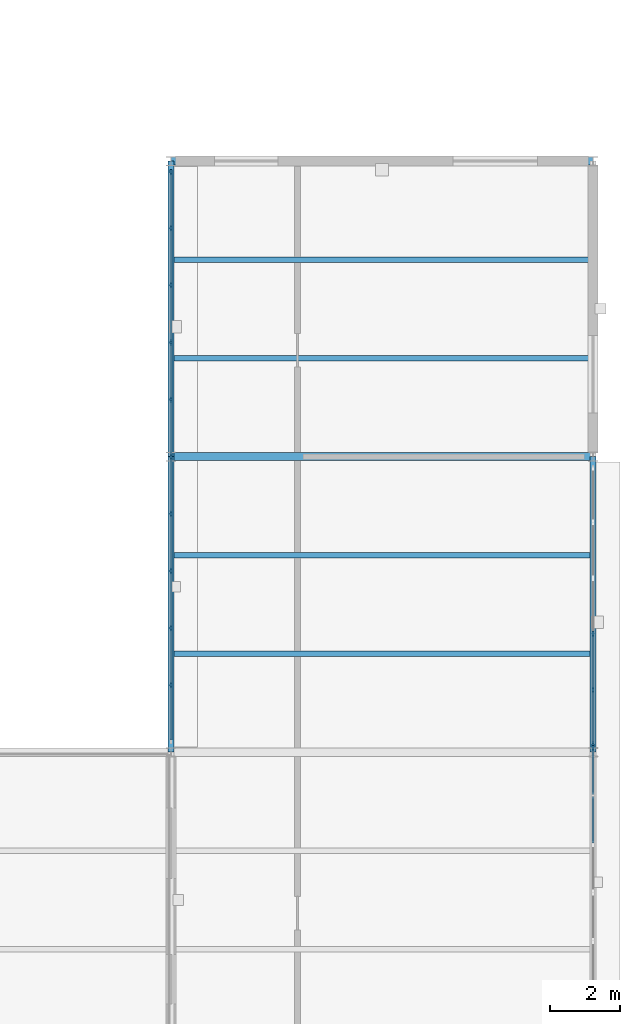
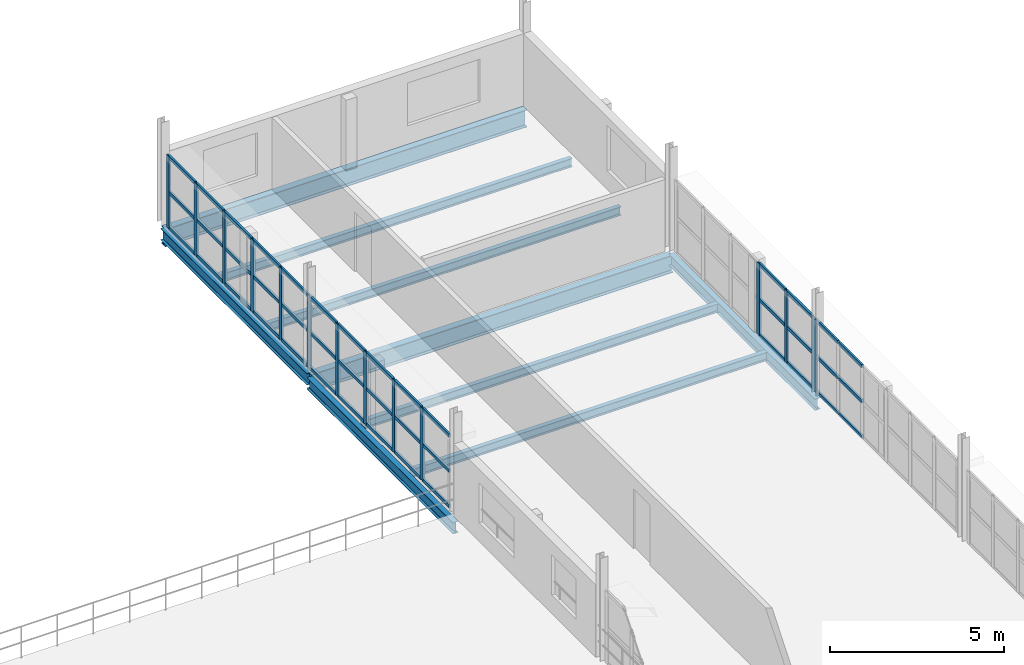
# One storey, part 42 of 74: 56 members, 9 beams, 3 elements without a shape of their own.
"""IFC4 building model written with IfcOpenShell, lengths in metres."""

from ifc_helpers import new_model, si_unit, direction, frame, origin, origin_2d, place, context, subcontext, project, spatial, rectangle, i_section, extrude, material, layer, layer_set, material_profile, profile_set, type_object, element, aggregate, save


model = new_model("IFC4")

# Units and contexts
model_context = context("Model", 3, precision=1e-05, world=origin(), true_north=direction((0.0, 1.0)))
body_context = subcontext(model_context, "Body", "Model", "MODEL_VIEW")
ifc_project = project(units=[si_unit("LENGTHUNIT", "METRE"), si_unit("AREAUNIT", "SQUARE_METRE"), si_unit("VOLUMEUNIT", "CUBIC_METRE"), si_unit("PLANEANGLEUNIT", "RADIAN"), si_unit("MASSUNIT", "GRAM", prefix="KILO"), si_unit("THERMODYNAMICTEMPERATUREUNIT", "KELVIN"), si_unit("POWERUNIT", "WATT")], contexts=[model_context])

# Site, building, storey
site_placement = place(None, origin())
site = spatial("IfcSite", under=ifc_project, at=site_placement, CompositionType="ELEMENT")
building_placement = place(site_placement, origin())
building = spatial("IfcBuilding", under=site, at=building_placement, Name="Tembeka Court Mobility Hub", CompositionType="ELEMENT")
storey_placement = place(building_placement, frame((0.0, 0.0, 12.60009765625)))
storey = spatial("IfcBuildingStorey", under=building, at=storey_placement, Name="L03", CompositionType="ELEMENT", Elevation=12.60009765625)

# Beams
ifc_material_1 = material(Name="Steel S355", Category="steel")
ifc_material_profile_1 = material_profile(ifc_material_1, i_section(OverallWidth=0.177978515625, OverallDepth=0.406005859375, WebThickness=0.0078125, FlangeThickness=0.0126953125, FilletRadius=0.01025390625, at=origin_2d()), Name="UKB 406x178x60")
ifc_profile_set_1 = profile_set([ifc_material_profile_1], Name="Steel S355")
beam_type_1 = type_object("IfcBeamType", Name="BM-B02", PredefinedType="BEAM", material=ifc_profile_set_1)
beam_1_placement = place(storey_placement, frame((164.39990234375, 46.800048828125, -0.523193359375), z_axis=(0.0, 1.0, 0.0), x_axis=(-1.0, 0.0, 0.0)))
element("IfcBeam", 1, at=beam_1_placement, inside=storey, type_object=beam_type_1, Name="Beam B02 (BM-L03-Y1938)", PredefinedType="BEAM", context=body_context, shape_type="SweptSolid", body=[
    extrude(i_section(OverallWidth=0.177978515625, OverallDepth=0.406005859375, WebThickness=0.0078125, FlangeThickness=0.0126953125, FilletRadius=0.01025390625, at=origin_2d()), origin(), (0.0, 0.0, 1.0), 8.39990234375),
])
beam_2_placement = place(storey_placement, frame((164.39990234375, 55.199951171875, -0.39306640625), z_axis=(0.0, 1.0, 0.0), x_axis=(-1.0, 0.0, 0.0)))
element("IfcBeam", 2, at=beam_2_placement, inside=storey, type_object=beam_type_1, Name="Beam B02 (BM-L03-Y1939)", PredefinedType="BEAM", context=body_context, shape_type="SweptSolid", body=[
    extrude(i_section(OverallWidth=0.177978515625, OverallDepth=0.406005859375, WebThickness=0.0078125, FlangeThickness=0.0126953125, FilletRadius=0.01025390625, at=origin_2d()), origin(), (0.0, 0.0, 1.0), 8.400146484375),
])
beam_3_placement = place(storey_placement, frame((176.39990234375, 46.800048828125, -0.39306640625), z_axis=(0.0, 1.0, 0.0), x_axis=(-1.0, 0.0, 0.0)))
element("IfcBeam", 3, at=beam_3_placement, inside=storey, type_object=beam_type_1, Name="Beam B02 (BM-L03-Y1944)", PredefinedType="BEAM", context=body_context, shape_type="SweptSolid", body=[
    extrude(i_section(OverallWidth=0.177978515625, OverallDepth=0.406005859375, WebThickness=0.0078125, FlangeThickness=0.0126953125, FilletRadius=0.01025390625, at=origin_2d()), origin(), (0.0, 0.0, 1.0), 8.39990234375),
])
ifc_material_profile_2 = material_profile(ifc_material_1, i_section(OverallWidth=0.22900390625, OverallDepth=0.612060546875, WebThickness=0.011962890625, FlangeThickness=0.01953125, FilletRadius=0.0126953125, at=origin_2d()), Name="UKB 610x229x125")
ifc_profile_set_2 = profile_set([ifc_material_profile_2], Name="Steel S355")
beam_type_2 = type_object("IfcBeamType", Name="BM-G02", PredefinedType="USERDEFINED", material=ifc_profile_set_2)
for number, where, z_axis, x_axis, name in (
    (4, (164.39990234375, 55.199951171875, -0.49609375), (1.0, 0.0, 0.0), (0.0, 1.0, 0.0), "Beam G02 (BM-L03-X1759)"),
    (5, (164.39990234375, 63.60009765625, -0.49609375), (1.0, 0.0, 0.0), (0.0, 1.0, 0.0), "Beam G02 (BM-L03-X1771)"),
):
    element("IfcBeam", number, at=place(storey_placement, frame(where, z_axis=z_axis, x_axis=x_axis)), inside=storey, type_object=beam_type_2, Name=name, ObjectType="GIRDER", PredefinedType="USERDEFINED", context=body_context, shape_type="SweptSolid", body=[
        extrude(i_section(OverallWidth=0.22900390625, OverallDepth=0.612060546875, WebThickness=0.011962890625, FlangeThickness=0.01953125, FilletRadius=0.0126953125, at=origin_2d()), origin(), (0.0, 0.0, 1.0), 12.0),
    ])
ifc_material_profile_3 = material_profile(ifc_material_1, i_section(OverallWidth=0.14990234375, OverallDepth=0.300048828125, WebThickness=0.007080078125, FlangeThickness=0.0107421875, FilletRadius=0.014892578125, at=origin_2d()), Name="IPE 300")
ifc_profile_set_3 = profile_set([ifc_material_profile_3], Name="Steel S355")
beam_type_3 = type_object("IfcBeamType", Name="BM-J04", PredefinedType="JOIST", material=ifc_profile_set_3)
for number, where, z_axis, x_axis, name in (
    (6, (164.48388671875, 49.60009765625, -0.340087890625), (1.0, 0.0, 0.0), (0.0, 1.0, 0.0), "Beam J04 (JST-L03-2181)"),
    (7, (164.48388671875, 52.39990234375, -0.340087890625), (1.0, 0.0, 0.0), (0.0, 1.0, 0.0), "Beam J04 (JST-L03-2182)"),
    (8, (164.48388671875, 58.0, -0.340087890625), (1.0, 0.0, 0.0), (0.0, 1.0, 0.0), "Beam J04 (JST-L03-2183)"),
    (9, (164.48388671875, 60.800048828125, -0.340087890625), (1.0, 0.0, 0.0), (0.0, 1.0, 0.0), "Beam J04 (JST-L03-2184)"),
):
    element("IfcBeam", number, at=place(storey_placement, frame(where, z_axis=z_axis, x_axis=x_axis)), inside=storey, type_object=beam_type_3, Name=name, PredefinedType="JOIST", context=body_context, shape_type="SweptSolid", body=[
        extrude(i_section(OverallWidth=0.14990234375, OverallDepth=0.300048828125, WebThickness=0.007080078125, FlangeThickness=0.0107421875, FilletRadius=0.014892578125, at=origin_2d()), origin(), (0.0, 0.0, 1.0), 11.83203125),
    ])

# Curtain wall, member
ifc_material_2 = material(Name="Anodised aluminium 6063-T6", Category="aluminium")
ifc_layer_1 = layer(ifc_material_2, 0.159912109375)
ifc_layer_set_1 = layer_set([ifc_layer_1], Name="Anodised aluminium 6063-T6")
curtain_wall_type_1 = type_object("IfcCurtainWallType", Name="CW-SYS53", PredefinedType="USERDEFINED", material=ifc_layer_set_1)
curtain_wall_1_placement = place(storey_placement, origin())
curtain_wall_1 = element("IfcCurtainWall", 10, at=curtain_wall_1_placement, inside=storey, type_object=curtain_wall_type_1, Name="Unitised curtain wall CW53 (CW-L03-138)", ObjectType="UNITISED GLAZING", PredefinedType="USERDEFINED")
ifc_material_profile_4 = material_profile(ifc_material_2, rectangle(XDim=0.06494140625, YDim=0.159912109375, at=origin_2d()), Name="ALU-MUL 65x160")
ifc_profile_set_4 = profile_set([ifc_material_profile_4], Name="Anodised aluminium 6063-T6")
member_type_1 = type_object("IfcMemberType", Name="CW-MUL01", PredefinedType="MULLION", material=ifc_profile_set_4)
member_1_placement = place(storey_placement, frame((176.39990234375, 46.91552734375, 0.0), z_axis=(0.0, 0.0, 1.0), x_axis=(-1.0, 0.0, 0.0)))
member_1 = element("IfcMember", 11, at=member_1_placement, type_object=member_type_1, Name="CW53 mullion 7", PredefinedType="MULLION", context=body_context, shape_type="SweptSolid", body=[
    extrude(rectangle(XDim=0.06494140625, YDim=0.159912109375, at=origin_2d()), origin(), (0.0, 0.0, 1.0), 2.534912109375),
])

# Curtain wall, members
ifc_layer_2 = layer(ifc_material_2, 0.159912109375)
ifc_layer_set_2 = layer_set([ifc_layer_2], Name="Anodised aluminium 6063-T6")
curtain_wall_type_2 = type_object("IfcCurtainWallType", Name="CW-SYS54", PredefinedType="USERDEFINED", material=ifc_layer_set_2)
curtain_wall_2_placement = place(storey_placement, origin())
curtain_wall_2 = element("IfcCurtainWall", 12, at=curtain_wall_2_placement, inside=storey, type_object=curtain_wall_type_2, Name="Unitised curtain wall CW54 (CW-L03-139)", ObjectType="UNITISED GLAZING", PredefinedType="USERDEFINED")
member_2_placement = place(storey_placement, frame((176.39990234375, 47.0205078125, 0.0), z_axis=(0.0, 0.0, 1.0), x_axis=(-1.0, 0.0, 0.0)))
member_2 = element("IfcMember", 13, at=member_2_placement, type_object=member_type_1, Name="CW54 mullion 1", PredefinedType="MULLION", context=body_context, shape_type="SweptSolid", body=[
    extrude(rectangle(XDim=0.06494140625, YDim=0.159912109375, at=origin_2d()), origin(), (0.0, 0.0, 1.0), 2.534912109375),
])
member_3_placement = place(storey_placement, frame((176.39990234375, 48.574462890625, 0.0), z_axis=(0.0, 0.0, 1.0), x_axis=(-1.0, 0.0, 0.0)))
member_3 = element("IfcMember", 14, at=member_3_placement, type_object=member_type_1, Name="CW54 mullion 2", PredefinedType="MULLION", context=body_context, shape_type="SweptSolid", body=[
    extrude(rectangle(XDim=0.06494140625, YDim=0.159912109375, at=origin_2d()), origin(), (0.0, 0.0, 1.0), 2.534912109375),
])
member_4_placement = place(storey_placement, frame((176.39990234375, 50.160888671875, 0.0), z_axis=(0.0, 0.0, 1.0), x_axis=(-1.0, 0.0, 0.0)))
member_4 = element("IfcMember", 15, at=member_4_placement, type_object=member_type_1, Name="CW54 mullion 3", PredefinedType="MULLION", context=body_context, shape_type="SweptSolid", body=[
    extrude(rectangle(XDim=0.06494140625, YDim=0.159912109375, at=origin_2d()), origin(), (0.0, 0.0, 1.0), 2.534912109375),
])

ifc_layer_3 = layer(ifc_material_2, 0.159912109375)
ifc_layer_set_3 = layer_set([ifc_layer_3], Name="Anodised aluminium 6063-T6")
curtain_wall_type_3 = type_object("IfcCurtainWallType", Name="CW-SYS46", PredefinedType="USERDEFINED", material=ifc_layer_set_3)
curtain_wall_3_placement = place(storey_placement, origin())
curtain_wall_3 = element("IfcCurtainWall", 16, at=curtain_wall_3_placement, inside=storey, type_object=curtain_wall_type_3, Name="Unitised curtain wall CW46 (CW-L03-140)", ObjectType="UNITISED GLAZING", PredefinedType="USERDEFINED")
member_5_placement = place(storey_placement, frame((164.39990234375, 48.7041015625, 0.0), z_axis=(0.0, 0.0, 1.0), x_axis=(-1.0, 0.0, 0.0)))
member_5 = element("IfcMember", 17, at=member_5_placement, type_object=member_type_1, Name="CW46 mullion 2", PredefinedType="MULLION", context=body_context, shape_type="SweptSolid", body=[
    extrude(rectangle(XDim=0.06494140625, YDim=0.159912109375, at=origin_2d()), origin(), (0.0, 0.0, 1.0), 2.534912109375),
])
member_6_placement = place(storey_placement, frame((164.39990234375, 50.327880859375, 0.0), z_axis=(0.0, 0.0, 1.0), x_axis=(-1.0, 0.0, 0.0)))
member_6 = element("IfcMember", 18, at=member_6_placement, type_object=member_type_1, Name="CW46 mullion 3", PredefinedType="MULLION", context=body_context, shape_type="SweptSolid", body=[
    extrude(rectangle(XDim=0.06494140625, YDim=0.159912109375, at=origin_2d()), origin(), (0.0, 0.0, 1.0), 2.534912109375),
])
member_7_placement = place(storey_placement, frame((164.39990234375, 51.951904296875, 0.0), z_axis=(0.0, 0.0, 1.0), x_axis=(-1.0, 0.0, 0.0)))
member_7 = element("IfcMember", 19, at=member_7_placement, type_object=member_type_1, Name="CW46 mullion 4", PredefinedType="MULLION", context=body_context, shape_type="SweptSolid", body=[
    extrude(rectangle(XDim=0.06494140625, YDim=0.159912109375, at=origin_2d()), origin(), (0.0, 0.0, 1.0), 2.534912109375),
])
member_8_placement = place(storey_placement, frame((164.39990234375, 53.575927734375, 0.0), z_axis=(0.0, 0.0, 1.0), x_axis=(-1.0, 0.0, 0.0)))
member_8 = element("IfcMember", 20, at=member_8_placement, type_object=member_type_1, Name="CW46 mullion 5", PredefinedType="MULLION", context=body_context, shape_type="SweptSolid", body=[
    extrude(rectangle(XDim=0.06494140625, YDim=0.159912109375, at=origin_2d()), origin(), (0.0, 0.0, 1.0), 2.534912109375),
])
member_9_placement = place(storey_placement, frame((164.39990234375, 55.199951171875, 0.0), z_axis=(0.0, 0.0, 1.0), x_axis=(-1.0, 0.0, 0.0)))
member_9 = element("IfcMember", 21, at=member_9_placement, type_object=member_type_1, Name="CW46 mullion 6", PredefinedType="MULLION", context=body_context, shape_type="SweptSolid", body=[
    extrude(rectangle(XDim=0.06494140625, YDim=0.159912109375, at=origin_2d()), origin(), (0.0, 0.0, 1.0), 2.534912109375),
])
member_10_placement = place(storey_placement, frame((164.39990234375, 56.823974609375, 0.0), z_axis=(0.0, 0.0, 1.0), x_axis=(-1.0, 0.0, 0.0)))
member_10 = element("IfcMember", 22, at=member_10_placement, type_object=member_type_1, Name="CW46 mullion 7", PredefinedType="MULLION", context=body_context, shape_type="SweptSolid", body=[
    extrude(rectangle(XDim=0.06494140625, YDim=0.159912109375, at=origin_2d()), origin(), (0.0, 0.0, 1.0), 2.534912109375),
])
member_11_placement = place(storey_placement, frame((164.39990234375, 58.447998046875, 0.0), z_axis=(0.0, 0.0, 1.0), x_axis=(-1.0, 0.0, 0.0)))
member_11 = element("IfcMember", 23, at=member_11_placement, type_object=member_type_1, Name="CW46 mullion 8", PredefinedType="MULLION", context=body_context, shape_type="SweptSolid", body=[
    extrude(rectangle(XDim=0.06494140625, YDim=0.159912109375, at=origin_2d()), origin(), (0.0, 0.0, 1.0), 2.534912109375),
])
member_12_placement = place(storey_placement, frame((164.39990234375, 60.072021484375, 0.0), z_axis=(0.0, 0.0, 1.0), x_axis=(-1.0, 0.0, 0.0)))
member_12 = element("IfcMember", 24, at=member_12_placement, type_object=member_type_1, Name="CW46 mullion 9", PredefinedType="MULLION", context=body_context, shape_type="SweptSolid", body=[
    extrude(rectangle(XDim=0.06494140625, YDim=0.159912109375, at=origin_2d()), origin(), (0.0, 0.0, 1.0), 2.534912109375),
])
member_13_placement = place(storey_placement, frame((164.39990234375, 61.696044921875, 0.0), z_axis=(0.0, 0.0, 1.0), x_axis=(-1.0, 0.0, 0.0)))
member_13 = element("IfcMember", 25, at=member_13_placement, type_object=member_type_1, Name="CW46 mullion 10", PredefinedType="MULLION", context=body_context, shape_type="SweptSolid", body=[
    extrude(rectangle(XDim=0.06494140625, YDim=0.159912109375, at=origin_2d()), origin(), (0.0, 0.0, 1.0), 2.534912109375),
])
member_14_placement = place(storey_placement, frame((164.39990234375, 63.28759765625, 0.0), z_axis=(0.0, 0.0, 1.0), x_axis=(-1.0, 0.0, 0.0)))
member_14 = element("IfcMember", 26, at=member_14_placement, type_object=member_type_1, Name="CW46 mullion 11", PredefinedType="MULLION", context=body_context, shape_type="SweptSolid", body=[
    extrude(rectangle(XDim=0.06494140625, YDim=0.159912109375, at=origin_2d()), origin(), (0.0, 0.0, 1.0), 2.534912109375),
])

# Member
ifc_material_profile_5 = material_profile(ifc_material_2, rectangle(XDim=0.06494140625, YDim=0.1201171875, at=origin_2d()), Name="ALU-TRN 65x120")
ifc_profile_set_5 = profile_set([ifc_material_profile_5], Name="Anodised aluminium 6063-T6")
member_type_2 = type_object("IfcMemberType", Name="CW-TRN01", PredefinedType="USERDEFINED", material=ifc_profile_set_5)
member_15_placement = place(storey_placement, frame((176.39990234375, 44.224609375, 0.032470703125), z_axis=(0.0, 1.0, 0.0), x_axis=(-1.0, 0.0, 0.0)))
member_15 = element("IfcMember", 27, at=member_15_placement, type_object=member_type_2, Name="CW53 transom 5.1", ObjectType="TRANSOM", PredefinedType="USERDEFINED", context=body_context, shape_type="SweptSolid", body=[
    extrude(rectangle(XDim=0.06494140625, YDim=0.1201171875, at=origin_2d()), origin(), (0.0, 0.0, 1.0), 1.31298828125),
])

member_16_placement = place(storey_placement, frame((176.39990234375, 44.224609375, 1.267333984375), z_axis=(0.0, 1.0, 0.0), x_axis=(-1.0, 0.0, 0.0)))
member_16 = element("IfcMember", 28, at=member_16_placement, type_object=member_type_2, Name="CW53 transom 5.2", ObjectType="TRANSOM", PredefinedType="USERDEFINED", context=body_context, shape_type="SweptSolid", body=[
    extrude(rectangle(XDim=0.06494140625, YDim=0.1201171875, at=origin_2d()), origin(), (0.0, 0.0, 1.0), 1.31298828125),
])

member_17_placement = place(storey_placement, frame((176.39990234375, 44.224609375, 2.50244140625), z_axis=(0.0, 1.0, 0.0), x_axis=(-1.0, 0.0, 0.0)))
member_17 = element("IfcMember", 29, at=member_17_placement, type_object=member_type_2, Name="CW53 transom 5.3", ObjectType="TRANSOM", PredefinedType="USERDEFINED", context=body_context, shape_type="SweptSolid", body=[
    extrude(rectangle(XDim=0.06494140625, YDim=0.1201171875, at=origin_2d()), origin(), (0.0, 0.0, 1.0), 1.31298828125),
])

member_18_placement = place(storey_placement, frame((176.39990234375, 45.6025390625, 0.032470703125), z_axis=(0.0, 1.0, 0.0), x_axis=(-1.0, 0.0, 0.0)))
member_18 = element("IfcMember", 30, at=member_18_placement, type_object=member_type_2, Name="CW53 transom 6.1", ObjectType="TRANSOM", PredefinedType="USERDEFINED", context=body_context, shape_type="SweptSolid", body=[
    extrude(rectangle(XDim=0.06494140625, YDim=0.1201171875, at=origin_2d()), origin(), (0.0, 0.0, 1.0), 1.280517578125),
])

member_19_placement = place(storey_placement, frame((176.39990234375, 45.6025390625, 1.267333984375), z_axis=(0.0, 1.0, 0.0), x_axis=(-1.0, 0.0, 0.0)))
member_19 = element("IfcMember", 31, at=member_19_placement, type_object=member_type_2, Name="CW53 transom 6.2", ObjectType="TRANSOM", PredefinedType="USERDEFINED", context=body_context, shape_type="SweptSolid", body=[
    extrude(rectangle(XDim=0.06494140625, YDim=0.1201171875, at=origin_2d()), origin(), (0.0, 0.0, 1.0), 1.280517578125),
])

member_20_placement = place(storey_placement, frame((176.39990234375, 45.6025390625, 2.50244140625), z_axis=(0.0, 1.0, 0.0), x_axis=(-1.0, 0.0, 0.0)))
member_20 = element("IfcMember", 32, at=member_20_placement, type_object=member_type_2, Name="CW53 transom 6.3", ObjectType="TRANSOM", PredefinedType="USERDEFINED", context=body_context, shape_type="SweptSolid", body=[
    extrude(rectangle(XDim=0.06494140625, YDim=0.1201171875, at=origin_2d()), origin(), (0.0, 0.0, 1.0), 1.280517578125),
])

aggregate(curtain_wall_1, [member_1, member_15, member_16, member_17, member_18, member_19, member_20])

member_21_placement = place(storey_placement, frame((176.39990234375, 47.052978515625, 0.032470703125), z_axis=(0.0, 1.0, 0.0), x_axis=(-1.0, 0.0, 0.0)))
member_21 = element("IfcMember", 33, at=member_21_placement, type_object=member_type_2, Name="CW54 transom 1.1", ObjectType="TRANSOM", PredefinedType="USERDEFINED", context=body_context, shape_type="SweptSolid", body=[
    extrude(rectangle(XDim=0.06494140625, YDim=0.1201171875, at=origin_2d()), origin(), (0.0, 0.0, 1.0), 1.489013671875),
])

member_22_placement = place(storey_placement, frame((176.39990234375, 47.052978515625, 1.267333984375), z_axis=(0.0, 1.0, 0.0), x_axis=(-1.0, 0.0, 0.0)))
member_22 = element("IfcMember", 34, at=member_22_placement, type_object=member_type_2, Name="CW54 transom 1.2", ObjectType="TRANSOM", PredefinedType="USERDEFINED", context=body_context, shape_type="SweptSolid", body=[
    extrude(rectangle(XDim=0.06494140625, YDim=0.1201171875, at=origin_2d()), origin(), (0.0, 0.0, 1.0), 1.489013671875),
])

member_23_placement = place(storey_placement, frame((176.39990234375, 47.052978515625, 2.50244140625), z_axis=(0.0, 1.0, 0.0), x_axis=(-1.0, 0.0, 0.0)))
member_23 = element("IfcMember", 35, at=member_23_placement, type_object=member_type_2, Name="CW54 transom 1.3", ObjectType="TRANSOM", PredefinedType="USERDEFINED", context=body_context, shape_type="SweptSolid", body=[
    extrude(rectangle(XDim=0.06494140625, YDim=0.1201171875, at=origin_2d()), origin(), (0.0, 0.0, 1.0), 1.489013671875),
])

member_24_placement = place(storey_placement, frame((176.39990234375, 48.60693359375, 0.032470703125), z_axis=(0.0, 1.0, 0.0), x_axis=(-1.0, 0.0, 0.0)))
member_24 = element("IfcMember", 36, at=member_24_placement, type_object=member_type_2, Name="CW54 transom 2.1", ObjectType="TRANSOM", PredefinedType="USERDEFINED", context=body_context, shape_type="SweptSolid", body=[
    extrude(rectangle(XDim=0.06494140625, YDim=0.1201171875, at=origin_2d()), origin(), (0.0, 0.0, 1.0), 1.521484375),
])

member_25_placement = place(storey_placement, frame((176.39990234375, 48.60693359375, 1.267333984375), z_axis=(0.0, 1.0, 0.0), x_axis=(-1.0, 0.0, 0.0)))
member_25 = element("IfcMember", 37, at=member_25_placement, type_object=member_type_2, Name="CW54 transom 2.2", ObjectType="TRANSOM", PredefinedType="USERDEFINED", context=body_context, shape_type="SweptSolid", body=[
    extrude(rectangle(XDim=0.06494140625, YDim=0.1201171875, at=origin_2d()), origin(), (0.0, 0.0, 1.0), 1.521484375),
])

member_26_placement = place(storey_placement, frame((176.39990234375, 48.60693359375, 2.50244140625), z_axis=(0.0, 1.0, 0.0), x_axis=(-1.0, 0.0, 0.0)))
member_26 = element("IfcMember", 38, at=member_26_placement, type_object=member_type_2, Name="CW54 transom 2.3", ObjectType="TRANSOM", PredefinedType="USERDEFINED", context=body_context, shape_type="SweptSolid", body=[
    extrude(rectangle(XDim=0.06494140625, YDim=0.1201171875, at=origin_2d()), origin(), (0.0, 0.0, 1.0), 1.521484375),
])

aggregate(curtain_wall_2, [member_2, member_3, member_4, member_21, member_22, member_23, member_24, member_25, member_26])

member_27_placement = place(storey_placement, frame((164.39990234375, 47.14501953125, 0.032470703125), z_axis=(0.0, 1.0, 0.0), x_axis=(-1.0, 0.0, 0.0)))
member_27 = element("IfcMember", 39, at=member_27_placement, type_object=member_type_2, Name="CW46 transom 1.1", ObjectType="TRANSOM", PredefinedType="USERDEFINED", context=body_context, shape_type="SweptSolid", body=[
    extrude(rectangle(XDim=0.06494140625, YDim=0.1201171875, at=origin_2d()), origin(), (0.0, 0.0, 1.0), 1.5263671875),
])

member_28_placement = place(storey_placement, frame((164.39990234375, 47.14501953125, 1.267333984375), z_axis=(0.0, 1.0, 0.0), x_axis=(-1.0, 0.0, 0.0)))
member_28 = element("IfcMember", 40, at=member_28_placement, type_object=member_type_2, Name="CW46 transom 1.2", ObjectType="TRANSOM", PredefinedType="USERDEFINED", context=body_context, shape_type="SweptSolid", body=[
    extrude(rectangle(XDim=0.06494140625, YDim=0.1201171875, at=origin_2d()), origin(), (0.0, 0.0, 1.0), 1.5263671875),
])

member_29_placement = place(storey_placement, frame((164.39990234375, 47.14501953125, 2.50244140625), z_axis=(0.0, 1.0, 0.0), x_axis=(-1.0, 0.0, 0.0)))
member_29 = element("IfcMember", 41, at=member_29_placement, type_object=member_type_2, Name="CW46 transom 1.3", ObjectType="TRANSOM", PredefinedType="USERDEFINED", context=body_context, shape_type="SweptSolid", body=[
    extrude(rectangle(XDim=0.06494140625, YDim=0.1201171875, at=origin_2d()), origin(), (0.0, 0.0, 1.0), 1.5263671875),
])

member_30_placement = place(storey_placement, frame((164.39990234375, 48.736572265625, 0.032470703125), z_axis=(0.0, 1.0, 0.0), x_axis=(-1.0, 0.0, 0.0)))
member_30 = element("IfcMember", 42, at=member_30_placement, type_object=member_type_2, Name="CW46 transom 2.1", ObjectType="TRANSOM", PredefinedType="USERDEFINED", context=body_context, shape_type="SweptSolid", body=[
    extrude(rectangle(XDim=0.06494140625, YDim=0.1201171875, at=origin_2d()), origin(), (0.0, 0.0, 1.0), 1.558837890625),
])

member_31_placement = place(storey_placement, frame((164.39990234375, 48.736572265625, 1.267333984375), z_axis=(0.0, 1.0, 0.0), x_axis=(-1.0, 0.0, 0.0)))
member_31 = element("IfcMember", 43, at=member_31_placement, type_object=member_type_2, Name="CW46 transom 2.2", ObjectType="TRANSOM", PredefinedType="USERDEFINED", context=body_context, shape_type="SweptSolid", body=[
    extrude(rectangle(XDim=0.06494140625, YDim=0.1201171875, at=origin_2d()), origin(), (0.0, 0.0, 1.0), 1.558837890625),
])

member_32_placement = place(storey_placement, frame((164.39990234375, 48.736572265625, 2.50244140625), z_axis=(0.0, 1.0, 0.0), x_axis=(-1.0, 0.0, 0.0)))
member_32 = element("IfcMember", 44, at=member_32_placement, type_object=member_type_2, Name="CW46 transom 2.3", ObjectType="TRANSOM", PredefinedType="USERDEFINED", context=body_context, shape_type="SweptSolid", body=[
    extrude(rectangle(XDim=0.06494140625, YDim=0.1201171875, at=origin_2d()), origin(), (0.0, 0.0, 1.0), 1.558837890625),
])

member_33_placement = place(storey_placement, frame((164.39990234375, 50.360595703125, 0.032470703125), z_axis=(0.0, 1.0, 0.0), x_axis=(-1.0, 0.0, 0.0)))
member_33 = element("IfcMember", 45, at=member_33_placement, type_object=member_type_2, Name="CW46 transom 3.1", ObjectType="TRANSOM", PredefinedType="USERDEFINED", context=body_context, shape_type="SweptSolid", body=[
    extrude(rectangle(XDim=0.06494140625, YDim=0.1201171875, at=origin_2d()), origin(), (0.0, 0.0, 1.0), 1.558837890625),
])

member_34_placement = place(storey_placement, frame((164.39990234375, 50.360595703125, 1.267333984375), z_axis=(0.0, 1.0, 0.0), x_axis=(-1.0, 0.0, 0.0)))
member_34 = element("IfcMember", 46, at=member_34_placement, type_object=member_type_2, Name="CW46 transom 3.2", ObjectType="TRANSOM", PredefinedType="USERDEFINED", context=body_context, shape_type="SweptSolid", body=[
    extrude(rectangle(XDim=0.06494140625, YDim=0.1201171875, at=origin_2d()), origin(), (0.0, 0.0, 1.0), 1.558837890625),
])

member_35_placement = place(storey_placement, frame((164.39990234375, 50.360595703125, 2.50244140625), z_axis=(0.0, 1.0, 0.0), x_axis=(-1.0, 0.0, 0.0)))
member_35 = element("IfcMember", 47, at=member_35_placement, type_object=member_type_2, Name="CW46 transom 3.3", ObjectType="TRANSOM", PredefinedType="USERDEFINED", context=body_context, shape_type="SweptSolid", body=[
    extrude(rectangle(XDim=0.06494140625, YDim=0.1201171875, at=origin_2d()), origin(), (0.0, 0.0, 1.0), 1.558837890625),
])

member_36_placement = place(storey_placement, frame((164.39990234375, 51.984619140625, 0.032470703125), z_axis=(0.0, 1.0, 0.0), x_axis=(-1.0, 0.0, 0.0)))
member_36 = element("IfcMember", 48, at=member_36_placement, type_object=member_type_2, Name="CW46 transom 4.1", ObjectType="TRANSOM", PredefinedType="USERDEFINED", context=body_context, shape_type="SweptSolid", body=[
    extrude(rectangle(XDim=0.06494140625, YDim=0.1201171875, at=origin_2d()), origin(), (0.0, 0.0, 1.0), 1.558837890625),
])

member_37_placement = place(storey_placement, frame((164.39990234375, 51.984619140625, 1.267333984375), z_axis=(0.0, 1.0, 0.0), x_axis=(-1.0, 0.0, 0.0)))
member_37 = element("IfcMember", 49, at=member_37_placement, type_object=member_type_2, Name="CW46 transom 4.2", ObjectType="TRANSOM", PredefinedType="USERDEFINED", context=body_context, shape_type="SweptSolid", body=[
    extrude(rectangle(XDim=0.06494140625, YDim=0.1201171875, at=origin_2d()), origin(), (0.0, 0.0, 1.0), 1.558837890625),
])

member_38_placement = place(storey_placement, frame((164.39990234375, 51.984619140625, 2.50244140625), z_axis=(0.0, 1.0, 0.0), x_axis=(-1.0, 0.0, 0.0)))
member_38 = element("IfcMember", 50, at=member_38_placement, type_object=member_type_2, Name="CW46 transom 4.3", ObjectType="TRANSOM", PredefinedType="USERDEFINED", context=body_context, shape_type="SweptSolid", body=[
    extrude(rectangle(XDim=0.06494140625, YDim=0.1201171875, at=origin_2d()), origin(), (0.0, 0.0, 1.0), 1.558837890625),
])

member_39_placement = place(storey_placement, frame((164.39990234375, 53.6083984375, 0.032470703125), z_axis=(0.0, 1.0, 0.0), x_axis=(-1.0, 0.0, 0.0)))
member_39 = element("IfcMember", 51, at=member_39_placement, type_object=member_type_2, Name="CW46 transom 5.1", ObjectType="TRANSOM", PredefinedType="USERDEFINED", context=body_context, shape_type="SweptSolid", body=[
    extrude(rectangle(XDim=0.06494140625, YDim=0.1201171875, at=origin_2d()), origin(), (0.0, 0.0, 1.0), 1.55908203125),
])

member_40_placement = place(storey_placement, frame((164.39990234375, 53.6083984375, 1.267333984375), z_axis=(0.0, 1.0, 0.0), x_axis=(-1.0, 0.0, 0.0)))
member_40 = element("IfcMember", 52, at=member_40_placement, type_object=member_type_2, Name="CW46 transom 5.2", ObjectType="TRANSOM", PredefinedType="USERDEFINED", context=body_context, shape_type="SweptSolid", body=[
    extrude(rectangle(XDim=0.06494140625, YDim=0.1201171875, at=origin_2d()), origin(), (0.0, 0.0, 1.0), 1.55908203125),
])

member_41_placement = place(storey_placement, frame((164.39990234375, 53.6083984375, 2.50244140625), z_axis=(0.0, 1.0, 0.0), x_axis=(-1.0, 0.0, 0.0)))
member_41 = element("IfcMember", 53, at=member_41_placement, type_object=member_type_2, Name="CW46 transom 5.3", ObjectType="TRANSOM", PredefinedType="USERDEFINED", context=body_context, shape_type="SweptSolid", body=[
    extrude(rectangle(XDim=0.06494140625, YDim=0.1201171875, at=origin_2d()), origin(), (0.0, 0.0, 1.0), 1.55908203125),
])

member_42_placement = place(storey_placement, frame((164.39990234375, 55.232421875, 0.032470703125), z_axis=(0.0, 1.0, 0.0), x_axis=(-1.0, 0.0, 0.0)))
member_42 = element("IfcMember", 54, at=member_42_placement, type_object=member_type_2, Name="CW46 transom 6.1", ObjectType="TRANSOM", PredefinedType="USERDEFINED", context=body_context, shape_type="SweptSolid", body=[
    extrude(rectangle(XDim=0.06494140625, YDim=0.1201171875, at=origin_2d()), origin(), (0.0, 0.0, 1.0), 1.55908203125),
])

member_43_placement = place(storey_placement, frame((164.39990234375, 55.232421875, 1.267333984375), z_axis=(0.0, 1.0, 0.0), x_axis=(-1.0, 0.0, 0.0)))
member_43 = element("IfcMember", 55, at=member_43_placement, type_object=member_type_2, Name="CW46 transom 6.2", ObjectType="TRANSOM", PredefinedType="USERDEFINED", context=body_context, shape_type="SweptSolid", body=[
    extrude(rectangle(XDim=0.06494140625, YDim=0.1201171875, at=origin_2d()), origin(), (0.0, 0.0, 1.0), 1.55908203125),
])

member_44_placement = place(storey_placement, frame((164.39990234375, 55.232421875, 2.50244140625), z_axis=(0.0, 1.0, 0.0), x_axis=(-1.0, 0.0, 0.0)))
member_44 = element("IfcMember", 56, at=member_44_placement, type_object=member_type_2, Name="CW46 transom 6.3", ObjectType="TRANSOM", PredefinedType="USERDEFINED", context=body_context, shape_type="SweptSolid", body=[
    extrude(rectangle(XDim=0.06494140625, YDim=0.1201171875, at=origin_2d()), origin(), (0.0, 0.0, 1.0), 1.55908203125),
])

member_45_placement = place(storey_placement, frame((164.39990234375, 56.8564453125, 0.032470703125), z_axis=(0.0, 1.0, 0.0), x_axis=(-1.0, 0.0, 0.0)))
member_45 = element("IfcMember", 57, at=member_45_placement, type_object=member_type_2, Name="CW46 transom 7.1", ObjectType="TRANSOM", PredefinedType="USERDEFINED", context=body_context, shape_type="SweptSolid", body=[
    extrude(rectangle(XDim=0.06494140625, YDim=0.1201171875, at=origin_2d()), origin(), (0.0, 0.0, 1.0), 1.55908203125),
])

member_46_placement = place(storey_placement, frame((164.39990234375, 56.8564453125, 1.267333984375), z_axis=(0.0, 1.0, 0.0), x_axis=(-1.0, 0.0, 0.0)))
member_46 = element("IfcMember", 58, at=member_46_placement, type_object=member_type_2, Name="CW46 transom 7.2", ObjectType="TRANSOM", PredefinedType="USERDEFINED", context=body_context, shape_type="SweptSolid", body=[
    extrude(rectangle(XDim=0.06494140625, YDim=0.1201171875, at=origin_2d()), origin(), (0.0, 0.0, 1.0), 1.55908203125),
])

member_47_placement = place(storey_placement, frame((164.39990234375, 56.8564453125, 2.50244140625), z_axis=(0.0, 1.0, 0.0), x_axis=(-1.0, 0.0, 0.0)))
member_47 = element("IfcMember", 59, at=member_47_placement, type_object=member_type_2, Name="CW46 transom 7.3", ObjectType="TRANSOM", PredefinedType="USERDEFINED", context=body_context, shape_type="SweptSolid", body=[
    extrude(rectangle(XDim=0.06494140625, YDim=0.1201171875, at=origin_2d()), origin(), (0.0, 0.0, 1.0), 1.55908203125),
])

member_48_placement = place(storey_placement, frame((164.39990234375, 58.48046875, 0.032470703125), z_axis=(0.0, 1.0, 0.0), x_axis=(-1.0, 0.0, 0.0)))
member_48 = element("IfcMember", 60, at=member_48_placement, type_object=member_type_2, Name="CW46 transom 8.1", ObjectType="TRANSOM", PredefinedType="USERDEFINED", context=body_context, shape_type="SweptSolid", body=[
    extrude(rectangle(XDim=0.06494140625, YDim=0.1201171875, at=origin_2d()), origin(), (0.0, 0.0, 1.0), 1.55908203125),
])

member_49_placement = place(storey_placement, frame((164.39990234375, 58.48046875, 1.267333984375), z_axis=(0.0, 1.0, 0.0), x_axis=(-1.0, 0.0, 0.0)))
member_49 = element("IfcMember", 61, at=member_49_placement, type_object=member_type_2, Name="CW46 transom 8.2", ObjectType="TRANSOM", PredefinedType="USERDEFINED", context=body_context, shape_type="SweptSolid", body=[
    extrude(rectangle(XDim=0.06494140625, YDim=0.1201171875, at=origin_2d()), origin(), (0.0, 0.0, 1.0), 1.55908203125),
])

member_50_placement = place(storey_placement, frame((164.39990234375, 58.48046875, 2.50244140625), z_axis=(0.0, 1.0, 0.0), x_axis=(-1.0, 0.0, 0.0)))
member_50 = element("IfcMember", 62, at=member_50_placement, type_object=member_type_2, Name="CW46 transom 8.3", ObjectType="TRANSOM", PredefinedType="USERDEFINED", context=body_context, shape_type="SweptSolid", body=[
    extrude(rectangle(XDim=0.06494140625, YDim=0.1201171875, at=origin_2d()), origin(), (0.0, 0.0, 1.0), 1.55908203125),
])

member_51_placement = place(storey_placement, frame((164.39990234375, 60.1044921875, 0.032470703125), z_axis=(0.0, 1.0, 0.0), x_axis=(-1.0, 0.0, 0.0)))
member_51 = element("IfcMember", 63, at=member_51_placement, type_object=member_type_2, Name="CW46 transom 9.1", ObjectType="TRANSOM", PredefinedType="USERDEFINED", context=body_context, shape_type="SweptSolid", body=[
    extrude(rectangle(XDim=0.06494140625, YDim=0.1201171875, at=origin_2d()), origin(), (0.0, 0.0, 1.0), 1.55908203125),
])

member_52_placement = place(storey_placement, frame((164.39990234375, 60.1044921875, 1.267333984375), z_axis=(0.0, 1.0, 0.0), x_axis=(-1.0, 0.0, 0.0)))
member_52 = element("IfcMember", 64, at=member_52_placement, type_object=member_type_2, Name="CW46 transom 9.2", ObjectType="TRANSOM", PredefinedType="USERDEFINED", context=body_context, shape_type="SweptSolid", body=[
    extrude(rectangle(XDim=0.06494140625, YDim=0.1201171875, at=origin_2d()), origin(), (0.0, 0.0, 1.0), 1.55908203125),
])

member_53_placement = place(storey_placement, frame((164.39990234375, 60.1044921875, 2.50244140625), z_axis=(0.0, 1.0, 0.0), x_axis=(-1.0, 0.0, 0.0)))
member_53 = element("IfcMember", 65, at=member_53_placement, type_object=member_type_2, Name="CW46 transom 9.3", ObjectType="TRANSOM", PredefinedType="USERDEFINED", context=body_context, shape_type="SweptSolid", body=[
    extrude(rectangle(XDim=0.06494140625, YDim=0.1201171875, at=origin_2d()), origin(), (0.0, 0.0, 1.0), 1.55908203125),
])

member_54_placement = place(storey_placement, frame((164.39990234375, 61.728515625, 0.032470703125), z_axis=(0.0, 1.0, 0.0), x_axis=(-1.0, 0.0, 0.0)))
member_54 = element("IfcMember", 66, at=member_54_placement, type_object=member_type_2, Name="CW46 transom 10.1", ObjectType="TRANSOM", PredefinedType="USERDEFINED", context=body_context, shape_type="SweptSolid", body=[
    extrude(rectangle(XDim=0.06494140625, YDim=0.1201171875, at=origin_2d()), origin(), (0.0, 0.0, 1.0), 1.5263671875),
])

member_55_placement = place(storey_placement, frame((164.39990234375, 61.728515625, 1.267333984375), z_axis=(0.0, 1.0, 0.0), x_axis=(-1.0, 0.0, 0.0)))
member_55 = element("IfcMember", 67, at=member_55_placement, type_object=member_type_2, Name="CW46 transom 10.2", ObjectType="TRANSOM", PredefinedType="USERDEFINED", context=body_context, shape_type="SweptSolid", body=[
    extrude(rectangle(XDim=0.06494140625, YDim=0.1201171875, at=origin_2d()), origin(), (0.0, 0.0, 1.0), 1.5263671875),
])

member_56_placement = place(storey_placement, frame((164.39990234375, 61.728515625, 2.50244140625), z_axis=(0.0, 1.0, 0.0), x_axis=(-1.0, 0.0, 0.0)))
member_56 = element("IfcMember", 68, at=member_56_placement, type_object=member_type_2, Name="CW46 transom 10.3", ObjectType="TRANSOM", PredefinedType="USERDEFINED", context=body_context, shape_type="SweptSolid", body=[
    extrude(rectangle(XDim=0.06494140625, YDim=0.1201171875, at=origin_2d()), origin(), (0.0, 0.0, 1.0), 1.5263671875),
])

aggregate(curtain_wall_3, [member_5, member_6, member_7, member_8, member_9, member_10, member_11, member_12, member_13, member_14, member_27, member_28, member_29, member_30, member_31, member_32, member_33, member_34, member_35, member_36, member_37, member_38, member_39, member_40, member_41, member_42, member_43, member_44, member_45, member_46, member_47, member_48, member_49, member_50, member_51, member_52, member_53, member_54, member_55, member_56])

save(model, "model.ifc")
